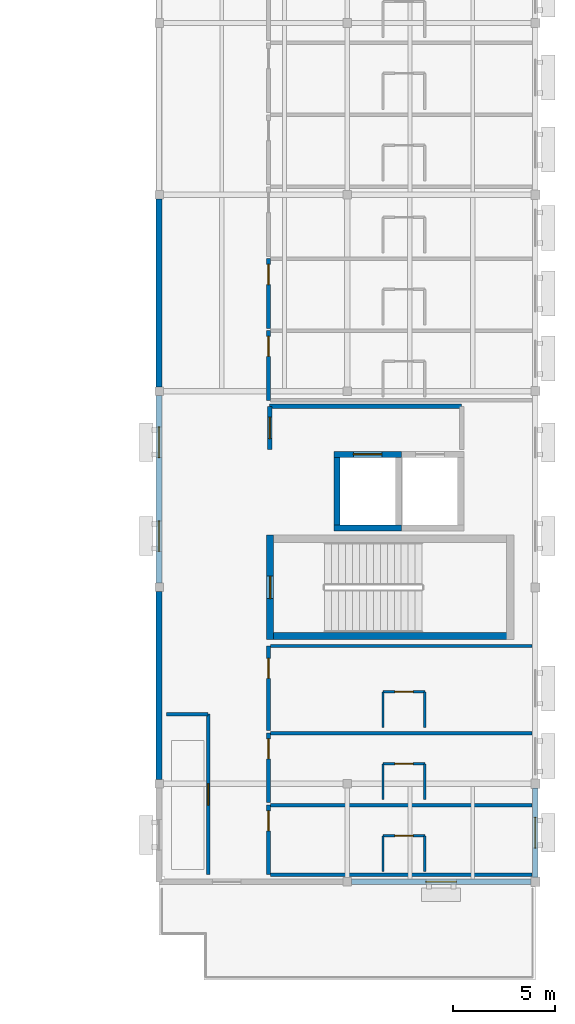
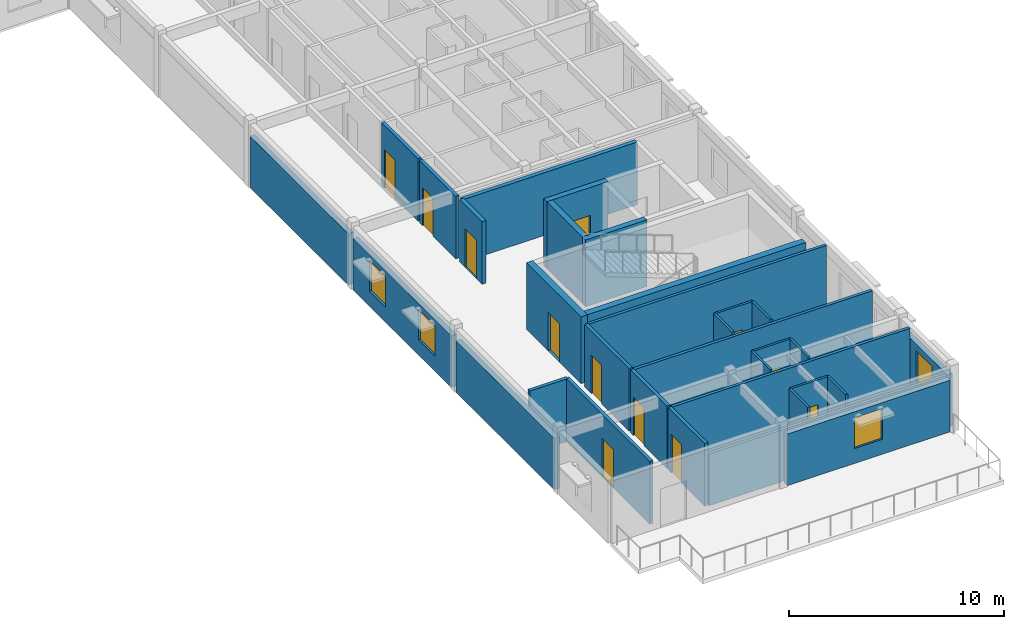
# One storey, part 5 of 15: 32 walls, 12 doors, 4 windows, 16 openings.
"""IFC4 building model written with IfcOpenShell, lengths in metres."""

from ifc_helpers import new_model, si_unit, direction, frame, frame_2d, origin, place, context, subcontext, project, spatial, rectangle, extrude, material, layer, layer_set, type_object, element, fill, save


model = new_model("IFC4")

# Units and contexts
model_context = context("Model", 3, precision=1e-05, world=origin(), true_north=direction((0.0, 1.0)))
body_context = subcontext(model_context, "Body", "Model", "MODEL_VIEW")
ifc_project = project(units=[si_unit("LENGTHUNIT", "METRE"), si_unit("AREAUNIT", "SQUARE_METRE"), si_unit("VOLUMEUNIT", "CUBIC_METRE"), si_unit("PLANEANGLEUNIT", "RADIAN"), si_unit("MASSUNIT", "GRAM", prefix="KILO")], contexts=[model_context])

# Site, building, storey
site_placement = place(None, origin())
site = spatial("IfcSite", under=ifc_project, at=site_placement, CompositionType="ELEMENT")
building_placement = place(site_placement, origin())
building = spatial("IfcBuilding", under=site, at=building_placement, Name="Veldera Park Congress Hotel", CompositionType="ELEMENT")
storey_placement = place(building_placement, frame((0.0, 0.0, 39.0)))
storey = spatial("IfcBuildingStorey", under=building, at=storey_placement, Name="L09", CompositionType="ELEMENT", Elevation=39.0)

# Wall, opening, window
ifc_material_1 = material(Name="Cross-laminated timber CLT V2M1.1", Category="wood")
ifc_layer_1 = layer(ifc_material_1, 0.280029296875)
ifc_layer_set_1 = layer_set([ifc_layer_1], Name="Cross-laminated timber CLT V2M1.1")
wall_type_1 = type_object("IfcWallType", Name="EW-CLT280", PredefinedType="STANDARD", material=ifc_layer_set_1)
wall_1_placement = place(storey_placement, frame((75.008056640625, -23.39990234375, 0.0), z_axis=(0.0, 0.0, 1.0), x_axis=(1.0, 0.0, 0.0)))
wall_1 = element("IfcWall", 1, at=wall_1_placement, inside=storey, type_object=wall_type_1, Name="L09 Exterior Wall EW3-L09-0398", PredefinedType="STANDARD", context=body_context, shape_type="SweptSolid", body=[
    extrude(rectangle(XDim=8.76904296875, YDim=0.280029296875, at=frame_2d((4.384521484375, 0.0))), origin(), (0.0, 0.0, 1.0), 2.93994140625),
])
opening_1_placement = place(wall_1_placement, frame((3.634521484375, 0.0, 0.85009765625)))
opening_1 = element("IfcOpeningElement", 2, at=opening_1_placement, cuts=wall_1, Name="Opening WIN-1500", PredefinedType="OPENING", context=body_context, shape_type="SweptSolid", body=[
    extrude(rectangle(XDim=1.5, YDim=1.75, at=frame_2d((0.75, 0.875))), frame((0.0, 0.152099609375, 0.0), z_axis=(0.0, -1.0, 0.0), x_axis=(1.0, 0.0, 0.0)), (0.0, 0.0, 1.0), 0.303955078125),
])
ifc_material_2 = material(Name="Low-E Triple Insulating Glass Unit (SHGC 0.22)", Category="glass")
window_type = type_object("IfcWindowType", Name="WIN-1500", PartitioningType="SINGLE_PANEL", PredefinedType="WINDOW", material=ifc_material_2)
window_1_placement = place(opening_1_placement, origin())
window_1 = element("IfcWindow", 3, at=window_1_placement, inside=storey, type_object=window_type, Name="L09 Window WIN-1500 308", OverallHeight=1.75, OverallWidth=1.5, PartitioningType="SINGLE_PANEL", PredefinedType="WINDOW", context=body_context, shape_type="SweptSolid", body=[
    extrude(rectangle(XDim=1.5, YDim=1.75, at=frame_2d((0.75, 0.875))), frame((0.0, 0.030029296875, 0.0), z_axis=(0.0, -1.0, 0.0), x_axis=(1.0, 0.0, 0.0)), (0.0, 0.0, 1.0), 0.06005859375),
])
fill(opening_1, window_1)

wall_2_placement = place(storey_placement, frame((84.0, -23.177001953125, 0.0), z_axis=(0.0, 0.0, 1.0), x_axis=(0.0, 1.0, 0.0)))
wall_2 = element("IfcWall", 4, at=wall_2_placement, inside=storey, type_object=wall_type_1, Name="L09 Exterior Wall EW3-L09-0399", PredefinedType="STANDARD", context=body_context, shape_type="SweptSolid", body=[
    extrude(rectangle(XDim=4.35400390625, YDim=0.280029296875, at=frame_2d((2.177001953125, 0.0))), origin(), (0.0, 0.0, 1.0), 2.97998046875),
])
opening_2_placement = place(wall_2_placement, frame((1.427001953125, 0.0, 0.85009765625)))
opening_2 = element("IfcOpeningElement", 5, at=opening_2_placement, cuts=wall_2, Name="Opening WIN-1500", PredefinedType="OPENING", context=body_context, shape_type="SweptSolid", body=[
    extrude(rectangle(XDim=1.5, YDim=1.75, at=frame_2d((0.75, 0.875))), frame((0.0, 0.152099609375, 0.0), z_axis=(0.0, -1.0, 0.0), x_axis=(1.0, 0.0, 0.0)), (0.0, 0.0, 1.0), 0.303955078125),
])
window_2_placement = place(opening_2_placement, origin())
window_2 = element("IfcWindow", 6, at=window_2_placement, inside=storey, type_object=window_type, Name="L09 Window WIN-1500 309", OverallHeight=1.75, OverallWidth=1.5, PartitioningType="SINGLE_PANEL", PredefinedType="WINDOW", context=body_context, shape_type="SweptSolid", body=[
    extrude(rectangle(XDim=1.5, YDim=1.75, at=frame_2d((0.75, 0.875))), frame((0.0, 0.030029296875, 0.0), z_axis=(0.0, -1.0, 0.0), x_axis=(1.0, 0.0, 0.0)), (0.0, 0.0, 1.0), 0.06005859375),
])
fill(opening_2, window_2)

# Wall
wall_3_placement = place(storey_placement, frame((65.60009765625, 9.991943359375, 0.0), z_axis=(0.0, 0.0, 1.0), x_axis=(0.0, -1.0, 0.0)))
element("IfcWall", 7, at=wall_3_placement, inside=storey, type_object=wall_type_1, Name="L09 Exterior Wall EW3-L09-0419", PredefinedType="STANDARD", context=body_context, shape_type="SweptSolid", body=[
    extrude(rectangle(XDim=9.183837890625, YDim=0.280029296875, at=frame_2d((4.591796875, 0.0))), origin(), (0.0, 0.0, 1.0), 2.919921875),
])

# Wall, openings, windows
wall_4_placement = place(storey_placement, frame((65.60009765625, 0.39208984375, 0.0), z_axis=(0.0, 0.0, 1.0), x_axis=(0.0, -1.0, 0.0)))
wall_4 = element("IfcWall", 8, at=wall_4_placement, inside=storey, type_object=wall_type_1, Name="L09 Exterior Wall EW3-L09-0420", PredefinedType="STANDARD", context=body_context, shape_type="SweptSolid", body=[
    extrude(rectangle(XDim=9.18408203125, YDim=0.280029296875, at=frame_2d((4.592041015625, 0.0))), origin(), (0.0, 0.0, 1.0), 2.919921875),
])
opening_3_placement = place(wall_4_placement, frame((1.5458984375, 0.0, 0.85009765625)))
opening_3 = element("IfcOpeningElement", 9, at=opening_3_placement, cuts=wall_4, Name="Opening WIN-1500", PredefinedType="OPENING", context=body_context, shape_type="SweptSolid", body=[
    extrude(rectangle(XDim=1.5, YDim=1.75, at=frame_2d((0.75, 0.875))), frame((0.0, 0.152099609375, 0.0), z_axis=(0.0, -1.0, 0.0), x_axis=(1.0, 0.0, 0.0)), (0.0, 0.0, 1.0), 0.303955078125),
])
opening_4_placement = place(wall_4_placement, frame((6.137939453125, 0.0, 0.85009765625)))
opening_4 = element("IfcOpeningElement", 10, at=opening_4_placement, cuts=wall_4, Name="Opening WIN-1500", PredefinedType="OPENING", context=body_context, shape_type="SweptSolid", body=[
    extrude(rectangle(XDim=1.5, YDim=1.75, at=frame_2d((0.75, 0.875))), frame((0.0, 0.152099609375, 0.0), z_axis=(0.0, -1.0, 0.0), x_axis=(1.0, 0.0, 0.0)), (0.0, 0.0, 1.0), 0.303955078125),
])
window_3_placement = place(opening_3_placement, origin())
window_3 = element("IfcWindow", 11, at=window_3_placement, inside=storey, type_object=window_type, Name="L09 Window WIN-1500 323", OverallHeight=1.75, OverallWidth=1.5, PartitioningType="SINGLE_PANEL", PredefinedType="WINDOW", context=body_context, shape_type="SweptSolid", body=[
    extrude(rectangle(XDim=1.5, YDim=1.75, at=frame_2d((0.75, 0.875))), frame((0.0, 0.030029296875, 0.0), z_axis=(0.0, -1.0, 0.0), x_axis=(1.0, 0.0, 0.0)), (0.0, 0.0, 1.0), 0.06005859375),
])
fill(opening_3, window_3)
window_4_placement = place(opening_4_placement, origin())
window_4 = element("IfcWindow", 12, at=window_4_placement, inside=storey, type_object=window_type, Name="L09 Window WIN-1500 324", OverallHeight=1.75, OverallWidth=1.5, PartitioningType="SINGLE_PANEL", PredefinedType="WINDOW", context=body_context, shape_type="SweptSolid", body=[
    extrude(rectangle(XDim=1.5, YDim=1.75, at=frame_2d((0.75, 0.875))), frame((0.0, 0.030029296875, 0.0), z_axis=(0.0, -1.0, 0.0), x_axis=(1.0, 0.0, 0.0)), (0.0, 0.0, 1.0), 0.06005859375),
])
fill(opening_4, window_4)

# Walls
wall_5_placement = place(storey_placement, frame((65.60009765625, -9.2080078125, 0.0), z_axis=(0.0, 0.0, 1.0), x_axis=(0.0, -1.0, 0.0)))
element("IfcWall", 13, at=wall_5_placement, inside=storey, type_object=wall_type_1, Name="L09 Exterior Wall EW3-L09-0421", PredefinedType="STANDARD", context=body_context, shape_type="SweptSolid", body=[
    extrude(rectangle(XDim=9.18408203125, YDim=0.280029296875, at=frame_2d((4.592041015625, 0.0))), origin(), (0.0, 0.0, 1.0), 2.919921875),
])
ifc_material_3 = material(Name="Fire-Rated Gypsum Board on Cold-Formed Steel Studs", Category="steel")
ifc_layer_2 = layer(ifc_material_3, 0.1201171875)
ifc_layer_set_2 = layer_set([ifc_layer_2], Name="Fire-Rated Gypsum Board on Cold-Formed Steel Studs")
wall_type_2 = type_object("IfcWallType", Name="IW-BATH120", PredefinedType="PARTITIONING", material=ifc_layer_set_2)
for number, where, z_axis, x_axis, name in (
    (14, (76.550048828125, -22.89990234375, 0.0), (0.0, 0.0, 1.0), (0.0, 1.0, 0.0), "L09 Partition Wall IW3-L09-01585"),
    (15, (78.60009765625, -22.89990234375, 0.0), (0.0, 0.0, 1.0), (0.0, 1.0, 0.0), "L09 Partition Wall IW3-L09-01586"),
):
    element("IfcWall", number, at=place(storey_placement, frame(where, z_axis=z_axis, x_axis=x_axis)), inside=storey, type_object=wall_type_2, Name=name, PredefinedType="PARTITIONING", context=body_context, shape_type="SweptSolid", body=[
        extrude(rectangle(XDim=1.75, YDim=0.1201171875, at=frame_2d((0.875, 0.0))), origin(), (0.0, 0.0, 1.0), 3.56494140625),
    ])

# Wall, opening, door
wall_6_placement = place(storey_placement, frame((76.550048828125, -21.14990234375, 0.0), z_axis=(0.0, 0.0, 1.0), x_axis=(1.0, 0.0, 0.0)))
wall_6 = element("IfcWall", 16, at=wall_6_placement, inside=storey, type_object=wall_type_2, Name="L09 Partition Wall IW3-L09-01587", PredefinedType="PARTITIONING", context=body_context, shape_type="SweptSolid", body=[
    extrude(rectangle(XDim=2.050048828125, YDim=0.1201171875, at=frame_2d((1.02490234375, 0.0))), origin(), (0.0, 0.0, 1.0), 3.56494140625),
])
opening_5_placement = place(wall_6_placement, frame((0.574951171875, 0.0, 0.0)))
opening_5 = element("IfcOpeningElement", 17, at=opening_5_placement, cuts=wall_6, Name="Opening ID-BATH090", PredefinedType="OPENING", context=body_context, shape_type="SweptSolid", body=[
    extrude(rectangle(XDim=0.89990234375, YDim=2.14990234375, at=frame_2d((0.449951171875, 1.074951171875))), frame((0.0, 0.072021484375, 0.0), z_axis=(0.0, -1.0, 0.0), x_axis=(1.0, 0.0, 0.0)), (0.0, 0.0, 1.0), 0.14404296875),
])
ifc_material_4 = material(Name="Solid Core White Oak Architectural Door", Category="wood")
door_type_1 = type_object("IfcDoorType", Name="ID-BATH090", OperationType="NOTDEFINED", PredefinedType="DOOR", material=ifc_material_4)
door_1_placement = place(opening_5_placement, origin())
door_1 = element("IfcDoor", 18, at=door_1_placement, inside=storey, type_object=door_type_1, Name="L09 En-suite 257 Door ID3-L09-0653 (DR3-ID3-L09-0653)", OperationType="SINGLE_SWING_LEFT", OverallHeight=2.14990234375, OverallWidth=0.89990234375, PredefinedType="DOOR", context=body_context, shape_type="SweptSolid", body=[
    extrude(rectangle(XDim=0.89990234375, YDim=2.14990234375, at=frame_2d((0.449951171875, 1.074951171875))), frame((0.0, 0.02490234375, 0.0), z_axis=(0.0, -1.0, 0.0), x_axis=(1.0, 0.0, 0.0)), (0.0, 0.0, 1.0), 0.050048828125),
])
fill(opening_5, door_1)

# Walls
for number, where, z_axis, x_axis, name in (
    (19, (76.550048828125, -19.3798828125, 0.0), (0.0, 0.0, 1.0), (0.0, 1.0, 0.0), "L09 Partition Wall IW3-L09-01590"),
    (20, (78.60009765625, -19.3798828125, 0.0), (0.0, 0.0, 1.0), (0.0, 1.0, 0.0), "L09 Partition Wall IW3-L09-01591"),
):
    element("IfcWall", number, at=place(storey_placement, frame(where, z_axis=z_axis, x_axis=x_axis)), inside=storey, type_object=wall_type_2, Name=name, PredefinedType="PARTITIONING", context=body_context, shape_type="SweptSolid", body=[
        extrude(rectangle(XDim=1.75, YDim=0.1201171875, at=frame_2d((0.875, 0.0))), origin(), (0.0, 0.0, 1.0), 3.56494140625),
    ])

# Wall, opening, door
wall_7_placement = place(storey_placement, frame((76.550048828125, -17.6298828125, 0.0), z_axis=(0.0, 0.0, 1.0), x_axis=(1.0, 0.0, 0.0)))
wall_7 = element("IfcWall", 21, at=wall_7_placement, inside=storey, type_object=wall_type_2, Name="L09 Partition Wall IW3-L09-01592", PredefinedType="PARTITIONING", context=body_context, shape_type="SweptSolid", body=[
    extrude(rectangle(XDim=2.050048828125, YDim=0.1201171875, at=frame_2d((1.02490234375, 0.0))), origin(), (0.0, 0.0, 1.0), 3.56494140625),
])
opening_6_placement = place(wall_7_placement, frame((0.574951171875, 0.0, 0.0)))
opening_6 = element("IfcOpeningElement", 22, at=opening_6_placement, cuts=wall_7, Name="Opening ID-BATH090", PredefinedType="OPENING", context=body_context, shape_type="SweptSolid", body=[
    extrude(rectangle(XDim=0.89990234375, YDim=2.14990234375, at=frame_2d((0.449951171875, 1.074951171875))), frame((0.0, 0.072021484375, 0.0), z_axis=(0.0, -1.0, 0.0), x_axis=(1.0, 0.0, 0.0)), (0.0, 0.0, 1.0), 0.14404296875),
])
door_2_placement = place(opening_6_placement, origin())
door_2 = element("IfcDoor", 23, at=door_2_placement, inside=storey, type_object=door_type_1, Name="L09 En-suite 258 Door ID3-L09-0655 (DR3-ID3-L09-0655)", OperationType="SINGLE_SWING_LEFT", OverallHeight=2.14990234375, OverallWidth=0.89990234375, PredefinedType="DOOR", context=body_context, shape_type="SweptSolid", body=[
    extrude(rectangle(XDim=0.89990234375, YDim=2.14990234375, at=frame_2d((0.449951171875, 1.074951171875))), frame((0.0, 0.02490234375, 0.0), z_axis=(0.0, -1.0, 0.0), x_axis=(1.0, 0.0, 0.0)), (0.0, 0.0, 1.0), 0.050048828125),
])
fill(opening_6, door_2)

# Walls
for number, where, z_axis, x_axis, name in (
    (24, (76.550048828125, -15.860107421875, 0.0), (0.0, 0.0, 1.0), (0.0, 1.0, 0.0), "L09 Partition Wall IW3-L09-01595"),
    (25, (78.60009765625, -15.860107421875, 0.0), (0.0, 0.0, 1.0), (0.0, 1.0, 0.0), "L09 Partition Wall IW3-L09-01596"),
):
    element("IfcWall", number, at=place(storey_placement, frame(where, z_axis=z_axis, x_axis=x_axis)), inside=storey, type_object=wall_type_2, Name=name, PredefinedType="PARTITIONING", context=body_context, shape_type="SweptSolid", body=[
        extrude(rectangle(XDim=1.75, YDim=0.1201171875, at=frame_2d((0.875, 0.0))), origin(), (0.0, 0.0, 1.0), 3.56494140625),
    ])

# Wall, opening, door
wall_8_placement = place(storey_placement, frame((76.550048828125, -14.110107421875, 0.0), z_axis=(0.0, 0.0, 1.0), x_axis=(1.0, 0.0, 0.0)))
wall_8 = element("IfcWall", 26, at=wall_8_placement, inside=storey, type_object=wall_type_2, Name="L09 Partition Wall IW3-L09-01597", PredefinedType="PARTITIONING", context=body_context, shape_type="SweptSolid", body=[
    extrude(rectangle(XDim=2.050048828125, YDim=0.1201171875, at=frame_2d((1.02490234375, 0.0))), origin(), (0.0, 0.0, 1.0), 3.56494140625),
])
opening_7_placement = place(wall_8_placement, frame((0.574951171875, 0.0, 0.0)))
opening_7 = element("IfcOpeningElement", 27, at=opening_7_placement, cuts=wall_8, Name="Opening ID-BATH090", PredefinedType="OPENING", context=body_context, shape_type="SweptSolid", body=[
    extrude(rectangle(XDim=0.89990234375, YDim=2.14990234375, at=frame_2d((0.449951171875, 1.074951171875))), frame((0.0, 0.072021484375, 0.0), z_axis=(0.0, -1.0, 0.0), x_axis=(1.0, 0.0, 0.0)), (0.0, 0.0, 1.0), 0.14404296875),
])
door_3_placement = place(opening_7_placement, origin())
door_3 = element("IfcDoor", 28, at=door_3_placement, inside=storey, type_object=door_type_1, Name="L09 En-suite 259 Door ID3-L09-0657 (DR3-ID3-L09-0657)", OperationType="SINGLE_SWING_LEFT", OverallHeight=2.14990234375, OverallWidth=0.89990234375, PredefinedType="DOOR", context=body_context, shape_type="SweptSolid", body=[
    extrude(rectangle(XDim=0.89990234375, YDim=2.14990234375, at=frame_2d((0.449951171875, 1.074951171875))), frame((0.0, 0.02490234375, 0.0), z_axis=(0.0, -1.0, 0.0), x_axis=(1.0, 0.0, 0.0)), (0.0, 0.0, 1.0), 0.050048828125),
])
fill(opening_7, door_3)

ifc_layer_3 = layer(ifc_material_3, 0.179931640625)
ifc_layer_set_3 = layer_set([ifc_layer_3], Name="Fire-Rated Gypsum Board on Cold-Formed Steel Studs")
wall_type_3 = type_object("IfcWallType", Name="IW-CORR180", PredefinedType="PARTITIONING", material=ifc_layer_set_3)
wall_9_placement = place(storey_placement, frame((68.0, -23.050048828125, 0.0), z_axis=(0.0, 0.0, 1.0), x_axis=(0.0, 1.0, 0.0)))
wall_9 = element("IfcWall", 29, at=wall_9_placement, inside=storey, type_object=wall_type_3, Name="L09 Partition Wall IW3-L09-00330", PredefinedType="PARTITIONING", context=body_context, shape_type="SweptSolid", body=[
    extrude(rectangle(XDim=7.85009765625, YDim=0.179931640625, at=frame_2d((3.925048828125, 0.0))), origin(), (0.0, 0.0, 1.0), 3.56494140625),
])
opening_8_placement = place(wall_9_placement, frame((3.39990234375, 0.0, 0.0)))
opening_8 = element("IfcOpeningElement", 30, at=opening_8_placement, cuts=wall_9, Name="Opening ID-MEET105", PredefinedType="OPENING", context=body_context, shape_type="SweptSolid", body=[
    extrude(rectangle(XDim=1.050048828125, YDim=2.199951171875, at=frame_2d((0.52490234375, 1.10009765625))), frame((0.0, 0.10205078125, 0.0), z_axis=(0.0, -1.0, 0.0), x_axis=(1.0, 0.0, 0.0)), (0.0, 0.0, 1.0), 0.203857421875),
])
door_type_2 = type_object("IfcDoorType", Name="ID-MEET105", OperationType="NOTDEFINED", PredefinedType="DOOR", material=ifc_material_4)
door_4_placement = place(opening_8_placement, origin())
door_4 = element("IfcDoor", 31, at=door_4_placement, inside=storey, type_object=door_type_2, Name="L09 Canyon Overlook Cocktail Lounge Door ID3-L09-0124 (DR3-ID3-L09-0124)", OperationType="SINGLE_SWING_LEFT", OverallHeight=2.199951171875, OverallWidth=1.050048828125, PredefinedType="DOOR", context=body_context, shape_type="SweptSolid", body=[
    extrude(rectangle(XDim=1.050048828125, YDim=2.199951171875, at=frame_2d((0.52490234375, 1.10009765625))), frame((0.0, 0.02490234375, 0.0), z_axis=(0.0, -1.0, 0.0), x_axis=(1.0, 0.0, 0.0)), (0.0, 0.0, 1.0), 0.050048828125),
])
fill(opening_8, door_4)

# Wall
wall_10_placement = place(storey_placement, frame((68.0, -15.199951171875, 0.0), z_axis=(0.0, 0.0, 1.0), x_axis=(-1.0, 0.0, 0.0)))
element("IfcWall", 32, at=wall_10_placement, inside=storey, type_object=wall_type_3, Name="L09 Partition Wall IW3-L09-00331", PredefinedType="PARTITIONING", context=body_context, shape_type="SweptSolid", body=[
    extrude(rectangle(XDim=2.050048828125, YDim=0.179931640625, at=frame_2d((1.02490234375, 0.0))), origin(), (0.0, 0.0, 1.0), 3.56494140625),
])

# Wall, opening, door
wall_11_placement = place(storey_placement, frame((70.949951171875, -19.64990234375, 0.0), z_axis=(0.0, 0.0, 1.0), x_axis=(0.0, -1.0, 0.0)))
wall_11 = element("IfcWall", 33, at=wall_11_placement, inside=storey, type_object=wall_type_3, Name="L09 Corridor Wall IW3-L09-01582", PredefinedType="PARTITIONING", context=body_context, shape_type="SweptSolid", body=[
    extrude(rectangle(XDim=3.400146484375, YDim=0.179931640625, at=frame_2d((1.7001953125, 0.0))), origin(), (0.0, 0.0, 1.0), 3.56494140625),
])
opening_9_placement = place(wall_11_placement, frame((0.280029296875, 0.0, 0.0)))
opening_9 = element("IfcOpeningElement", 34, at=opening_9_placement, cuts=wall_11, Name="Opening ID-UNIT098", PredefinedType="OPENING", context=body_context, shape_type="SweptSolid", body=[
    extrude(rectangle(XDim=0.97998046875, YDim=2.179931640625, at=frame_2d((0.489990234375, 1.08984375))), frame((0.0, 0.10205078125, 0.0), z_axis=(0.0, -1.0, 0.0), x_axis=(1.0, 0.0, 0.0)), (0.0, 0.0, 1.0), 0.203857421875),
])
door_type_3 = type_object("IfcDoorType", Name="ID-UNIT098", OperationType="NOTDEFINED", PredefinedType="DOOR", material=ifc_material_4)
door_5_placement = place(opening_9_placement, origin())
door_5 = element("IfcDoor", 35, at=door_5_placement, inside=storey, type_object=door_type_3, Name="L09 Guestroom 257 Entry Door (DR3-UD3-L09-257)", OperationType="SINGLE_SWING_RIGHT", OverallHeight=2.179931640625, OverallWidth=0.97998046875, PredefinedType="DOOR", context=body_context, shape_type="SweptSolid", body=[
    extrude(rectangle(XDim=0.97998046875, YDim=2.179931640625, at=frame_2d((0.489990234375, 1.08984375))), frame((0.0, 0.02490234375, 0.0), z_axis=(0.0, -1.0, 0.0), x_axis=(1.0, 0.0, 0.0)), (0.0, 0.0, 1.0), 0.050048828125),
])
fill(opening_9, door_5)

wall_12_placement = place(storey_placement, frame((70.949951171875, -16.1298828125, 0.0), z_axis=(0.0, 0.0, 1.0), x_axis=(0.0, -1.0, 0.0)))
wall_12 = element("IfcWall", 36, at=wall_12_placement, inside=storey, type_object=wall_type_3, Name="L09 Corridor Wall IW3-L09-01588", PredefinedType="PARTITIONING", context=body_context, shape_type="SweptSolid", body=[
    extrude(rectangle(XDim=3.400146484375, YDim=0.179931640625, at=frame_2d((1.7001953125, 0.0))), origin(), (0.0, 0.0, 1.0), 3.56494140625),
])
opening_10_placement = place(wall_12_placement, frame((0.280029296875, 0.0, 0.0)))
opening_10 = element("IfcOpeningElement", 37, at=opening_10_placement, cuts=wall_12, Name="Opening ID-UNIT098", PredefinedType="OPENING", context=body_context, shape_type="SweptSolid", body=[
    extrude(rectangle(XDim=0.97998046875, YDim=2.179931640625, at=frame_2d((0.489990234375, 1.08984375))), frame((0.0, 0.10205078125, 0.0), z_axis=(0.0, -1.0, 0.0), x_axis=(1.0, 0.0, 0.0)), (0.0, 0.0, 1.0), 0.203857421875),
])
door_6_placement = place(opening_10_placement, origin())
door_6 = element("IfcDoor", 38, at=door_6_placement, inside=storey, type_object=door_type_3, Name="L09 Guestroom 258 Entry Door (DR3-UD3-L09-258)", OperationType="SINGLE_SWING_RIGHT", OverallHeight=2.179931640625, OverallWidth=0.97998046875, PredefinedType="DOOR", context=body_context, shape_type="SweptSolid", body=[
    extrude(rectangle(XDim=0.97998046875, YDim=2.179931640625, at=frame_2d((0.489990234375, 1.08984375))), frame((0.0, 0.02490234375, 0.0), z_axis=(0.0, -1.0, 0.0), x_axis=(1.0, 0.0, 0.0)), (0.0, 0.0, 1.0), 0.050048828125),
])
fill(opening_10, door_6)

wall_13_placement = place(storey_placement, frame((70.949951171875, -11.8701171875, 0.0), z_axis=(0.0, 0.0, 1.0), x_axis=(0.0, -1.0, 0.0)))
wall_13 = element("IfcWall", 39, at=wall_13_placement, inside=storey, type_object=wall_type_3, Name="L09 Corridor Wall IW3-L09-01593", PredefinedType="PARTITIONING", context=body_context, shape_type="SweptSolid", body=[
    extrude(rectangle(XDim=4.139892578125, YDim=0.179931640625, at=frame_2d((2.06982421875, 0.0))), origin(), (0.0, 0.0, 1.0), 3.56494140625),
])
opening_11_placement = place(wall_13_placement, frame((0.60009765625, 0.0, 0.0)))
opening_11 = element("IfcOpeningElement", 40, at=opening_11_placement, cuts=wall_13, Name="Opening ID-UNIT098", PredefinedType="OPENING", context=body_context, shape_type="SweptSolid", body=[
    extrude(rectangle(XDim=0.97998046875, YDim=2.179931640625, at=frame_2d((0.489990234375, 1.08984375))), frame((0.0, 0.10205078125, 0.0), z_axis=(0.0, -1.0, 0.0), x_axis=(1.0, 0.0, 0.0)), (0.0, 0.0, 1.0), 0.203857421875),
])
door_7_placement = place(opening_11_placement, origin())
door_7 = element("IfcDoor", 41, at=door_7_placement, inside=storey, type_object=door_type_3, Name="L09 Guestroom 259 Entry Door (DR3-UD3-L09-259)", OperationType="SINGLE_SWING_RIGHT", OverallHeight=2.179931640625, OverallWidth=0.97998046875, PredefinedType="DOOR", context=body_context, shape_type="SweptSolid", body=[
    extrude(rectangle(XDim=0.97998046875, YDim=2.179931640625, at=frame_2d((0.489990234375, 1.08984375))), frame((0.0, 0.02490234375, 0.0), z_axis=(0.0, -1.0, 0.0), x_axis=(1.0, 0.0, 0.0)), (0.0, 0.0, 1.0), 0.050048828125),
])
fill(opening_11, door_7)

wall_14_placement = place(storey_placement, frame((70.949951171875, 3.550048828125, 0.0), z_axis=(0.0, 0.0, 1.0), x_axis=(0.0, -1.0, 0.0)))
wall_14 = element("IfcWall", 42, at=wall_14_placement, inside=storey, type_object=wall_type_3, Name="L09 Corridor Wall IW3-L09-01598", PredefinedType="PARTITIONING", context=body_context, shape_type="SweptSolid", body=[
    extrude(rectangle(XDim=3.400146484375, YDim=0.179931640625, at=frame_2d((1.7001953125, 0.0))), origin(), (0.0, 0.0, 1.0), 3.56494140625),
])
opening_12_placement = place(wall_14_placement, frame((0.280029296875, 0.0, 0.0)))
opening_12 = element("IfcOpeningElement", 43, at=opening_12_placement, cuts=wall_14, Name="Opening ID-UNIT098", PredefinedType="OPENING", context=body_context, shape_type="SweptSolid", body=[
    extrude(rectangle(XDim=0.97998046875, YDim=2.179931640625, at=frame_2d((0.489990234375, 1.08984375))), frame((0.0, 0.10205078125, 0.0), z_axis=(0.0, -1.0, 0.0), x_axis=(1.0, 0.0, 0.0)), (0.0, 0.0, 1.0), 0.203857421875),
])
door_8_placement = place(opening_12_placement, origin())
door_8 = element("IfcDoor", 44, at=door_8_placement, inside=storey, type_object=door_type_3, Name="L09 Guestroom 260 Entry Door (DR3-UD3-L09-260)", OperationType="SINGLE_SWING_RIGHT", OverallHeight=2.179931640625, OverallWidth=0.97998046875, PredefinedType="DOOR", context=body_context, shape_type="SweptSolid", body=[
    extrude(rectangle(XDim=0.97998046875, YDim=2.179931640625, at=frame_2d((0.489990234375, 1.08984375))), frame((0.0, 0.02490234375, 0.0), z_axis=(0.0, -1.0, 0.0), x_axis=(1.0, 0.0, 0.0)), (0.0, 0.0, 1.0), 0.050048828125),
])
fill(opening_12, door_8)

wall_15_placement = place(storey_placement, frame((70.949951171875, 7.070068359375, 0.0), z_axis=(0.0, 0.0, 1.0), x_axis=(0.0, -1.0, 0.0)))
wall_15 = element("IfcWall", 45, at=wall_15_placement, inside=storey, type_object=wall_type_3, Name="L09 Corridor Wall IW3-L09-01604", PredefinedType="PARTITIONING", context=body_context, shape_type="SweptSolid", body=[
    extrude(rectangle(XDim=3.400146484375, YDim=0.179931640625, at=frame_2d((1.7001953125, 0.0))), origin(), (0.0, 0.0, 1.0), 3.56494140625),
])
opening_13_placement = place(wall_15_placement, frame((0.280029296875, 0.0, 0.0)))
opening_13 = element("IfcOpeningElement", 46, at=opening_13_placement, cuts=wall_15, Name="Opening ID-UNIT098", PredefinedType="OPENING", context=body_context, shape_type="SweptSolid", body=[
    extrude(rectangle(XDim=0.97998046875, YDim=2.179931640625, at=frame_2d((0.489990234375, 1.08984375))), frame((0.0, 0.10205078125, 0.0), z_axis=(0.0, -1.0, 0.0), x_axis=(1.0, 0.0, 0.0)), (0.0, 0.0, 1.0), 0.203857421875),
])
door_9_placement = place(opening_13_placement, origin())
door_9 = element("IfcDoor", 47, at=door_9_placement, inside=storey, type_object=door_type_3, Name="L09 Guestroom 261 Entry Door (DR3-UD3-L09-261)", OperationType="SINGLE_SWING_RIGHT", OverallHeight=2.179931640625, OverallWidth=0.97998046875, PredefinedType="DOOR", context=body_context, shape_type="SweptSolid", body=[
    extrude(rectangle(XDim=0.97998046875, YDim=2.179931640625, at=frame_2d((0.489990234375, 1.08984375))), frame((0.0, 0.02490234375, 0.0), z_axis=(0.0, -1.0, 0.0), x_axis=(1.0, 0.0, 0.0)), (0.0, 0.0, 1.0), 0.050048828125),
])
fill(opening_13, door_9)

# Wall
ifc_material_5 = material(Name="Concrete f'c 40 MPa (5,800 psi)", Category="concrete")
ifc_layer_4 = layer(ifc_material_5, 0.219970703125)
ifc_layer_set_4 = layer_set([ifc_layer_4], Name="Concrete f'c 40 MPa (5,800 psi)")
wall_type_4 = type_object("IfcWallType", Name="IW-FIRE220", PredefinedType="STANDARD", material=ifc_layer_set_4)
wall_16_placement = place(storey_placement, frame((80.39990234375, -0.14990234375, 0.0), z_axis=(0.0, 0.0, 1.0), x_axis=(-1.0, 0.0, 0.0)))
element("IfcWall", 48, at=wall_16_placement, inside=storey, type_object=wall_type_4, Name="L09 Partition Wall IW3-L09-00322", PredefinedType="STANDARD", context=body_context, shape_type="SweptSolid", body=[
    extrude(rectangle(XDim=9.39990234375, YDim=0.219970703125, at=frame_2d((4.699951171875, 0.0))), origin(), (0.0, 0.0, 1.0), 3.56494140625),
])

# Wall, opening, door
wall_17_placement = place(storey_placement, frame((71.0, -0.14990234375, 0.0), z_axis=(0.0, 0.0, 1.0), x_axis=(0.0, -1.0, 0.0)))
wall_17 = element("IfcWall", 49, at=wall_17_placement, inside=storey, type_object=wall_type_4, Name="L09 Partition Wall IW3-L09-00323", PredefinedType="STANDARD", context=body_context, shape_type="SweptSolid", body=[
    extrude(rectangle(XDim=2.10009765625, YDim=0.219970703125, at=frame_2d((1.050048828125, 0.0))), origin(), (0.0, 0.0, 1.0), 3.56494140625),
])
opening_14_placement = place(wall_17_placement, frame((0.52490234375, 0.0, 0.0)))
opening_14 = element("IfcOpeningElement", 50, at=opening_14_placement, cuts=wall_17, Name="Opening ID-MEET105", PredefinedType="OPENING", context=body_context, shape_type="SweptSolid", body=[
    extrude(rectangle(XDim=1.050048828125, YDim=2.199951171875, at=frame_2d((0.52490234375, 1.10009765625))), frame((0.0, 0.1220703125, 0.0), z_axis=(0.0, -1.0, 0.0), x_axis=(1.0, 0.0, 0.0)), (0.0, 0.0, 1.0), 0.243896484375),
])
door_10_placement = place(opening_14_placement, origin())
door_10 = element("IfcDoor", 51, at=door_10_placement, inside=storey, type_object=door_type_2, Name="L09 Service Lift Lobby Door ID3-L09-0121 (DR3-ID3-L09-0121)", OperationType="SINGLE_SWING_RIGHT", OverallHeight=2.199951171875, OverallWidth=1.050048828125, PredefinedType="DOOR", context=body_context, shape_type="SweptSolid", body=[
    extrude(rectangle(XDim=1.050048828125, YDim=2.199951171875, at=frame_2d((0.52490234375, 1.10009765625))), frame((0.0, 0.02490234375, 0.0), z_axis=(0.0, -1.0, 0.0), x_axis=(1.0, 0.0, 0.0)), (0.0, 0.0, 1.0), 0.050048828125),
])
fill(opening_14, door_10)

# Walls
ifc_layer_5 = layer(ifc_material_1, 0.159912109375)
ifc_layer_set_5 = layer_set([ifc_layer_5], Name="Cross-laminated timber CLT V2M1.1")
wall_type_5 = type_object("IfcWallType", Name="IW-UNIT160", PredefinedType="PARTITIONING", material=ifc_layer_set_5)
wall_18_placement = place(storey_placement, frame((71.050048828125, -23.050048828125, 0.0), z_axis=(0.0, 0.0, 1.0), x_axis=(1.0, 0.0, 0.0)))
element("IfcWall", 52, at=wall_18_placement, inside=storey, type_object=wall_type_5, Name="L09 Partition Wall IW3-L09-01583", PredefinedType="PARTITIONING", context=body_context, shape_type="SweptSolid", body=[
    extrude(rectangle(XDim=12.7900390625, YDim=0.159912109375, at=frame_2d((6.39501953125, 0.0))), origin(), (0.0, 0.0, 1.0), 2.93994140625),
])
for number, where, z_axis, x_axis, name in (
    (53, (71.050048828125, -19.64990234375, 0.0), (0.0, 0.0, 1.0), (1.0, 0.0, 0.0), "L09 Partition Wall IW3-L09-01584"),
    (54, (71.050048828125, -16.1298828125, 0.0), (0.0, 0.0, 1.0), (1.0, 0.0, 0.0), "L09 Partition Wall IW3-L09-01589"),
    (55, (71.050048828125, -11.8701171875, 0.0), (0.0, 0.0, 1.0), (1.0, 0.0, 0.0), "L09 Partition Wall IW3-L09-01594"),
):
    element("IfcWall", number, at=place(storey_placement, frame(where, z_axis=z_axis, x_axis=x_axis)), inside=storey, type_object=wall_type_5, Name=name, PredefinedType="PARTITIONING", context=body_context, shape_type="SweptSolid", body=[
        extrude(rectangle(XDim=12.7900390625, YDim=0.159912109375, at=frame_2d((6.39501953125, 0.0))), origin(), (0.0, 0.0, 1.0), 3.56494140625),
    ])
ifc_layer_6 = layer(ifc_material_5, 0.35009765625)
ifc_layer_set_6 = layer_set([ifc_layer_6], Name="Concrete f'c 40 MPa (5,800 psi)")
wall_type_6 = type_object("IfcWallType", Name="SW-CORE350", PredefinedType="SHEAR", material=ifc_layer_set_6)
wall_19_placement = place(storey_placement, frame((70.85009765625, -11.375, 0.0), z_axis=(0.0, 0.0, 1.0), x_axis=(1.0, 0.0, 0.0)))
element("IfcWall", 56, at=wall_19_placement, inside=storey, type_object=wall_type_6, Name="Stair ST2 Core Wall L09-S", PredefinedType="SHEAR", context=body_context, shape_type="SweptSolid", body=[
    extrude(rectangle(XDim=12.099853515625, YDim=0.35009765625, at=frame_2d((6.0498046875, 0.0))), origin(), (0.0, 0.0, 1.0), 3.800048828125),
])

# Wall, opening, door
wall_20_placement = place(storey_placement, frame((71.02490234375, -6.449951171875, 0.0), z_axis=(0.0, 0.0, 1.0), x_axis=(0.0, -1.0, 0.0)))
wall_20 = element("IfcWall", 57, at=wall_20_placement, inside=storey, type_object=wall_type_6, Name="Stair ST2 Core Wall L09-W", PredefinedType="SHEAR", context=body_context, shape_type="SweptSolid", body=[
    extrude(rectangle(XDim=5.10009765625, YDim=0.35009765625, at=frame_2d((2.550048828125, 0.0))), origin(), (0.0, 0.0, 1.0), 3.800048828125),
])
opening_15_placement = place(wall_20_placement, frame((2.0, 0.0, 0.0)))
opening_15 = element("IfcOpeningElement", 58, at=opening_15_placement, cuts=wall_20, Name="Opening ID-STAIR110", PredefinedType="OPENING", context=body_context, shape_type="SweptSolid", body=[
    extrude(rectangle(XDim=1.10009765625, YDim=2.199951171875, at=frame_2d((0.550048828125, 1.10009765625))), frame((0.0, 0.18701171875, 0.0), z_axis=(0.0, -1.0, 0.0), x_axis=(1.0, 0.0, 0.0)), (0.0, 0.0, 1.0), 0.3740234375),
])
ifc_material_6 = material(Name="Hollow Metal Fire-Rated Steel Door", Category="steel")
door_type_4 = type_object("IfcDoorType", Name="ID-STAIR110", OperationType="NOTDEFINED", PredefinedType="DOOR", material=ifc_material_6)
door_11_placement = place(opening_15_placement, origin())
door_11 = element("IfcDoor", 59, at=door_11_placement, inside=storey, type_object=door_type_4, Name="L09 Stair ST2 Fire Door (DR3-SD-ST2-L09)", OperationType="SINGLE_SWING_RIGHT", OverallHeight=2.199951171875, OverallWidth=1.10009765625, PredefinedType="DOOR", context=body_context, shape_type="SweptSolid", body=[
    extrude(rectangle(XDim=1.10009765625, YDim=2.199951171875, at=frame_2d((0.550048828125, 1.10009765625))), frame((0.0, 0.02490234375, 0.0), z_axis=(0.0, -1.0, 0.0), x_axis=(1.0, 0.0, 0.0)), (0.0, 0.0, 1.0), 0.050048828125),
])
fill(opening_15, door_11)

# Wall
ifc_layer_7 = layer(ifc_material_5, 0.300048828125)
ifc_layer_set_7 = layer_set([ifc_layer_7], Name="Concrete f'c 40 MPa (5,800 psi)")
wall_type_7 = type_object("IfcWallType", Name="SW-SHFT300", PredefinedType="SHEAR", material=ifc_layer_set_7)
wall_21_placement = place(storey_placement, frame((74.14990234375, -6.10009765625, 0.0), z_axis=(0.0, 0.0, 1.0), x_axis=(1.0, 0.0, 0.0)))
element("IfcWall", 60, at=wall_21_placement, inside=storey, type_object=wall_type_7, Name="Lift SL-01 Shaft Wall L09-S", PredefinedType="SHEAR", context=body_context, shape_type="SweptSolid", body=[
    extrude(rectangle(XDim=3.300048828125, YDim=0.300048828125, at=frame_2d((1.64990234375, 0.0))), origin(), (0.0, 0.0, 1.0), 3.800048828125),
])

# Wall, opening, door
wall_22_placement = place(storey_placement, frame((77.449951171875, -2.5, 0.0), z_axis=(0.0, 0.0, 1.0), x_axis=(-1.0, 0.0, 0.0)))
wall_22 = element("IfcWall", 61, at=wall_22_placement, inside=storey, type_object=wall_type_7, Name="Lift SL-01 Shaft Wall L09-N", PredefinedType="SHEAR", context=body_context, shape_type="SweptSolid", body=[
    extrude(rectangle(XDim=3.300048828125, YDim=0.300048828125, at=frame_2d((1.64990234375, 0.0))), origin(), (0.0, 0.0, 1.0), 3.800048828125),
])
opening_16_placement = place(wall_22_placement, frame((0.949951171875, 0.0, 0.0)))
opening_16 = element("IfcOpeningElement", 62, at=opening_16_placement, cuts=wall_22, Name="Opening LD-140", PredefinedType="OPENING", context=body_context, shape_type="SweptSolid", body=[
    extrude(rectangle(XDim=1.39990234375, YDim=2.199951171875, at=frame_2d((0.699951171875, 1.10009765625))), frame((0.0, 0.162109375, 0.0), z_axis=(0.0, -1.0, 0.0), x_axis=(1.0, 0.0, 0.0)), (0.0, 0.0, 1.0), 0.323974609375),
])
door_type_5 = type_object("IfcDoorType", Name="LD-140", OperationType="DOUBLE_DOOR_SLIDING", PredefinedType="DOOR", material=ifc_material_6)
door_12_placement = place(opening_16_placement, origin())
door_12 = element("IfcDoor", 63, at=door_12_placement, inside=storey, type_object=door_type_5, Name="L09 Lift SL-01 Landing Door (DR3-LD-SL-01-L09)", OperationType="DOUBLE_DOOR_SLIDING", OverallHeight=2.199951171875, OverallWidth=1.39990234375, PredefinedType="DOOR", context=body_context, shape_type="SweptSolid", body=[
    extrude(rectangle(XDim=1.39990234375, YDim=2.199951171875, at=frame_2d((0.699951171875, 1.10009765625))), frame((0.0, 0.02490234375, 0.0), z_axis=(0.0, -1.0, 0.0), x_axis=(1.0, 0.0, 0.0)), (0.0, 0.0, 1.0), 0.050048828125),
])
fill(opening_16, door_12)

# Wall
wall_23_placement = place(storey_placement, frame((74.300048828125, -2.64990234375, 0.0), z_axis=(0.0, 0.0, 1.0), x_axis=(0.0, -1.0, 0.0)))
element("IfcWall", 64, at=wall_23_placement, inside=storey, type_object=wall_type_7, Name="Lift SL-01 Shaft Wall L09-W", PredefinedType="SHEAR", context=body_context, shape_type="SweptSolid", body=[
    extrude(rectangle(XDim=3.300048828125, YDim=0.300048828125, at=frame_2d((1.64990234375, 0.0))), origin(), (0.0, 0.0, 1.0), 3.800048828125),
])

save(model, "model.ifc")
